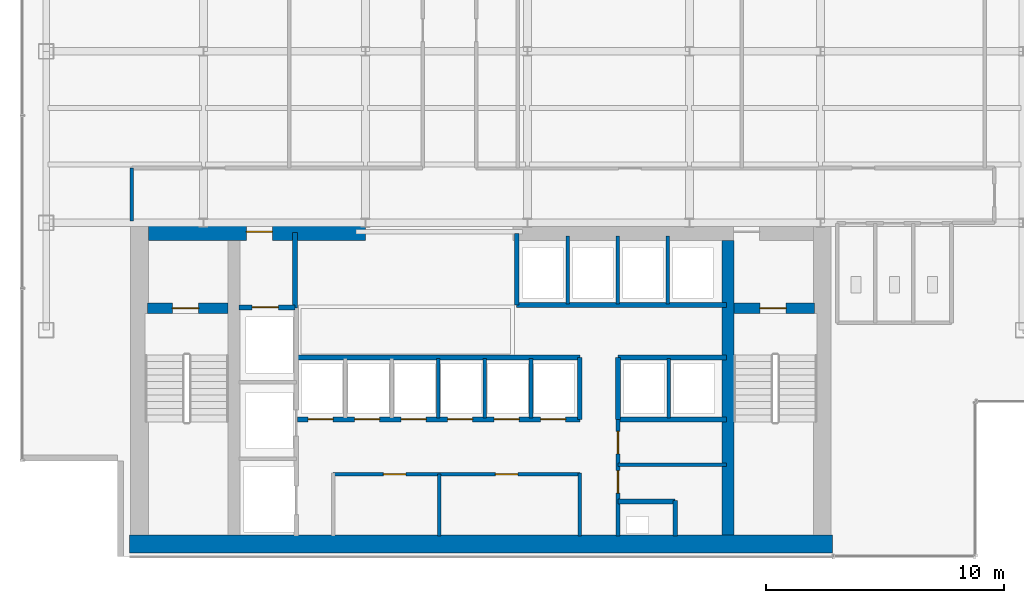
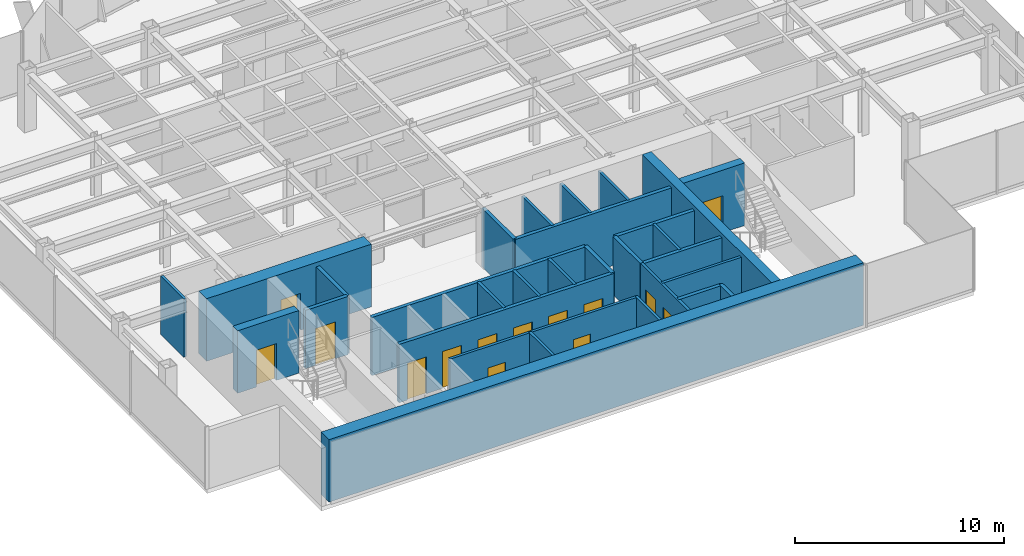
# One storey, part 20 of 25: 30 walls, 14 doors, 14 openings.
"""IFC4 building model written with IfcOpenShell, lengths in metres."""

from ifc_helpers import new_model, si_unit, derived_unit, direction, frame, frame_2d, origin, place, context, subcontext, project, spatial, rectangle, extrude, source, transform, mapped, material, layer, layer_set, type_object, element, fill, save


model = new_model("IFC4")

# Units and contexts
model_context = context("Model", 3, precision=1e-05, world=origin(), true_north=direction((0.0, 1.0)))
body_context = subcontext(model_context, "Body", "Model", "MODEL_VIEW")
ifc_project = project(units=[si_unit("LENGTHUNIT", "METRE"), si_unit("AREAUNIT", "SQUARE_METRE"), si_unit("VOLUMEUNIT", "CUBIC_METRE"), si_unit("PLANEANGLEUNIT", "RADIAN"), si_unit("MASSUNIT", "GRAM", prefix="KILO"), derived_unit("THERMALTRANSMITTANCEUNIT", [(si_unit("POWERUNIT", "WATT"), 1), (si_unit("LENGTHUNIT", "METRE"), -2), (si_unit("THERMODYNAMICTEMPERATUREUNIT", "KELVIN"), -1)])], contexts=[model_context])

# Site, building, storey
site_placement = place(None, origin())
site = spatial("IfcSite", under=ifc_project, at=site_placement, CompositionType="ELEMENT")
building_placement = place(site_placement, origin())
building = spatial("IfcBuilding", under=site, at=building_placement, Name="Skarnbrae Concourse Arena and Tower", CompositionType="ELEMENT")
storey_placement = place(building_placement, frame((0.0, 0.0, 144.25)))
storey = spatial("IfcBuildingStorey", under=building, at=storey_placement, Name="L36", CompositionType="ELEMENT", Elevation=144.25)

# Wall, opening, door
ifc_material_1 = material(Name="Concrete 50 MPa (C50/60)", Category="concrete")
ifc_layer_1 = layer(ifc_material_1, 0.449951171875)
ifc_layer_set_1 = layer_set([ifc_layer_1], Name="Concrete 50 MPa (C50/60)")
wall_type_1 = type_object("IfcWallType", Name="WALL-CORE-450-C50", PredefinedType="SHEAR", material=ifc_layer_set_1)
shared_shape_1 = source(origin(), body_context, "Body", "SweptSolid", [
    extrude(rectangle(XDim=3.389892578125, YDim=0.449951171875, at=frame_2d((1.69482421875, 0.0))), origin(), (0.0, 0.0, 1.0), 3.64990234375),
])
wall_1_placement = place(storey_placement, frame((5.25, 10.419921875, 0.0), z_axis=(0.0, 0.0, 1.0), x_axis=(1.0, 0.0, 0.0)))
wall_1 = element("IfcWall", 1, at=wall_1_placement, inside=storey, type_object=wall_type_1, Name="L36 Rear core shear wall CW-ST1-N", PredefinedType="SHEAR", context=body_context, shape_type="MappedRepresentation", body=[
    mapped(shared_shape_1, transform((0.0, 0.0, 0.0))),
])
opening_1_placement = place(wall_1_placement, frame((1.050048828125, 0.0, 0.0)))
opening_1 = element("IfcOpeningElement", 2, at=opening_1_placement, cuts=wall_1, Name="Opening DT-03", PredefinedType="OPENING", context=body_context, shape_type="SweptSolid", body=[
    extrude(rectangle(XDim=1.10009765625, YDim=2.14990234375, at=frame_2d((0.550048828125, 1.074951171875))), frame((0.0, 0.23486328125, 0.0), z_axis=(0.0, -1.0, 0.0), x_axis=(1.0, 0.0, 0.0)), (0.0, 0.0, 1.0), 0.469970703125),
])
ifc_material_2 = material(Name="Steel CSA G40.21 350W", Category="steel")
door_type_1 = type_object("IfcDoorType", Name="DOOR-FIRE-1100-90M", OperationType="NOTDEFINED", PredefinedType="DOOR", material=ifc_material_2)
shared_shape_2 = source(origin(), body_context, "Body", "SweptSolid", [
    extrude(rectangle(XDim=1.10009765625, YDim=2.14990234375, at=frame_2d((0.550048828125, 1.074951171875))), frame((0.0, 0.02490234375, 0.0), z_axis=(0.0, -1.0, 0.0), x_axis=(1.0, 0.0, 0.0)), (0.0, 0.0, 1.0), 0.050048828125),
])
door_1_placement = place(opening_1_placement, frame((1.10009765625, 0.0, 0.0), z_axis=(0.0, 0.0, 1.0), x_axis=(-1.0, 0.0, 0.0)))
door_1 = element("IfcDoor", 3, at=door_1_placement, inside=storey, type_object=door_type_1, Name="D-1122 Stair ST-1 Door", OperationType="SINGLE_SWING_LEFT", OverallHeight=2.14990234375, OverallWidth=1.10009765625, PredefinedType="DOOR", context=body_context, shape_type="MappedRepresentation", body=[
    mapped(shared_shape_2, transform((0.0, 0.0, 0.0))),
])
fill(opening_1, door_1)

wall_2_placement = place(storey_placement, frame((29.860107421875, 10.419921875, 0.0), z_axis=(0.0, 0.0, 1.0), x_axis=(1.0, 0.0, 0.0)))
wall_2 = element("IfcWall", 4, at=wall_2_placement, inside=storey, type_object=wall_type_1, Name="L36 Rear core shear wall CW-ST2-N", PredefinedType="SHEAR", context=body_context, shape_type="MappedRepresentation", body=[
    mapped(shared_shape_1, transform((0.0, 0.0, 0.0))),
])
opening_2_placement = place(wall_2_placement, frame((1.10009765625, 0.0, 0.0)))
opening_2 = element("IfcOpeningElement", 5, at=opening_2_placement, cuts=wall_2, Name="Opening DT-03", PredefinedType="OPENING", context=body_context, shape_type="SweptSolid", body=[
    extrude(rectangle(XDim=1.10009765625, YDim=2.14990234375, at=frame_2d((0.550048828125, 1.074951171875))), frame((0.0, 0.23486328125, 0.0), z_axis=(0.0, -1.0, 0.0), x_axis=(1.0, 0.0, 0.0)), (0.0, 0.0, 1.0), 0.469970703125),
])
door_2_placement = place(opening_2_placement, frame((1.10009765625, 0.0, 0.0), z_axis=(0.0, 0.0, 1.0), x_axis=(-1.0, 0.0, 0.0)))
door_2 = element("IfcDoor", 6, at=door_2_placement, inside=storey, type_object=door_type_1, Name="D-1123 Stair ST-2 Door", OperationType="SINGLE_SWING_RIGHT", OverallHeight=2.14990234375, OverallWidth=1.10009765625, PredefinedType="DOOR", context=body_context, shape_type="MappedRepresentation", body=[
    mapped(shared_shape_2, transform((0.0, 0.0, 0.0))),
])
fill(opening_2, door_2)

# Wall
ifc_material_3 = material(Name="Concrete 60 MPa (C60/75)", Category="concrete")
ifc_layer_2 = layer(ifc_material_3, 0.75)
ifc_layer_set_2 = layer_set([ifc_layer_2], Name="Concrete 60 MPa (C60/75)")
wall_type_2 = type_object("IfcWallType", Name="WALL-CORE-750-C60", PredefinedType="SHEAR", material=ifc_layer_set_2)
shared_shape_3 = source(origin(), body_context, "Body", "SweptSolid", [
    extrude(rectangle(XDim=29.5, YDim=0.75, at=frame_2d((14.75, 0.0))), origin(), (0.0, 0.0, 1.0), 3.64990234375),
])
wall_3_placement = place(storey_placement, frame((4.5, 0.52490234375, 0.0), z_axis=(0.0, 0.0, 1.0), x_axis=(1.0, 0.0, 0.0)))
element("IfcWall", 7, at=wall_3_placement, inside=storey, type_object=wall_type_2, Name="L36 Rear core shear wall CW-S", PredefinedType="SHEAR", context=body_context, shape_type="MappedRepresentation", body=[
    mapped(shared_shape_3, transform((0.0, 0.0, 0.0))),
])

# Wall, opening, door
shared_shape_4 = source(origin(), body_context, "Body", "SweptSolid", [
    extrude(rectangle(XDim=9.099853515625, YDim=0.75, at=frame_2d((4.5498046875, 0.0))), origin(), (0.0, 0.0, 1.0), 3.64990234375),
])
wall_4_placement = place(storey_placement, frame((5.300048828125, 13.625, 0.0), z_axis=(0.0, 0.0, 1.0), x_axis=(1.0, 0.0, 0.0)))
wall_4 = element("IfcWall", 8, at=wall_4_placement, inside=storey, type_object=wall_type_2, Name="L36 Rear core shear wall CW-NW", PredefinedType="SHEAR", context=body_context, shape_type="MappedRepresentation", body=[
    mapped(shared_shape_4, transform((0.0, 0.0, 0.0))),
])
opening_3_placement = place(wall_4_placement, frame((4.10009765625, 0.0, 0.0)))
opening_3 = element("IfcOpeningElement", 9, at=opening_3_placement, cuts=wall_4, Name="Opening DT-03", PredefinedType="OPENING", context=body_context, shape_type="SweptSolid", body=[
    extrude(rectangle(XDim=1.10009765625, YDim=2.14990234375, at=frame_2d((0.550048828125, 1.074951171875))), frame((0.0, 0.385009765625, 0.0), z_axis=(0.0, -1.0, 0.0), x_axis=(1.0, 0.0, 0.0)), (0.0, 0.0, 1.0), 0.77001953125),
])
door_3_placement = place(opening_3_placement, origin())
door_3 = element("IfcDoor", 10, at=door_3_placement, inside=storey, type_object=door_type_1, Name="D-1124 Firefighting Lobby Exit Door", OperationType="SINGLE_SWING_RIGHT", OverallHeight=2.14990234375, OverallWidth=1.10009765625, PredefinedType="DOOR", context=body_context, shape_type="MappedRepresentation", body=[
    mapped(shared_shape_2, transform((0.0, 0.0, 0.0))),
])
fill(opening_3, door_3)

# Walls
ifc_layer_3 = layer(ifc_material_3, 0.5)
ifc_layer_set_3 = layer_set([ifc_layer_3], Name="Concrete 60 MPa (C60/75)")
wall_type_3 = type_object("IfcWallType", Name="WALL-CORE-500-C60", PredefinedType="SHEAR", material=ifc_layer_set_3)
shared_shape_5 = source(origin(), body_context, "Body", "SweptSolid", [
    extrude(rectangle(XDim=12.35009765625, YDim=0.5, at=frame_2d((6.175048828125, 0.0))), origin(), (0.0, 0.0, 1.0), 3.64990234375),
])
wall_5_placement = place(storey_placement, frame((29.610107421875, 0.89990234375, 0.0), z_axis=(0.0, 0.0, 1.0), x_axis=(0.0, 1.0, 0.0)))
element("IfcWall", 11, at=wall_5_placement, inside=storey, type_object=wall_type_3, Name="L36 Rear core shear wall CW-WEB-E", PredefinedType="SHEAR", context=body_context, shape_type="MappedRepresentation", body=[
    mapped(shared_shape_5, transform((0.0, 0.0, 0.0))),
])
ifc_material_4 = material(Name="Gypsum board on cold-formed steel studs", Category="steel")
ifc_layer_4 = layer(ifc_material_4, 0.199951171875)
ifc_layer_set_4 = layer_set([ifc_layer_4], Name="Gypsum board on cold-formed steel studs")
wall_type_4 = type_object("IfcWallType", Name="WALL-PART-200-2HR", PredefinedType="PARTITIONING", material=ifc_layer_set_4)
shared_shape_6 = source(origin(), body_context, "Body", "SweptSolid", [
    extrude(rectangle(XDim=3.18017578125, YDim=0.199951171875, at=frame_2d((1.590087890625, 0.0))), origin(), (0.0, 0.0, 1.0), 3.39990234375),
])
wall_6_placement = place(storey_placement, frame((11.449951171875, 10.419921875, 0.0), z_axis=(0.0, 0.0, 1.0), x_axis=(0.0, 1.0, 0.0)))
element("IfcWall", 12, at=wall_6_placement, inside=storey, type_object=wall_type_4, Name="L36 Interior partition wall W-L36-FFL-E", PredefinedType="PARTITIONING", context=body_context, shape_type="MappedRepresentation", body=[
    mapped(shared_shape_6, transform((0.0, 0.0, 0.0))),
])

# Wall, opening, door
shared_shape_7 = source(origin(), body_context, "Body", "SweptSolid", [
    extrude(rectangle(XDim=2.349853515625, YDim=0.199951171875, at=frame_2d((1.1748046875, 0.0))), origin(), (0.0, 0.0, 1.0), 3.39990234375),
])
wall_7_placement = place(storey_placement, frame((9.10009765625, 10.449951171875, 0.0), z_axis=(0.0, 0.0, 1.0), x_axis=(1.0, 0.0, 0.0)))
wall_7 = element("IfcWall", 13, at=wall_7_placement, inside=storey, type_object=wall_type_4, Name="L36 Interior partition wall W-L36-FL1-N", PredefinedType="PARTITIONING", context=body_context, shape_type="MappedRepresentation", body=[
    mapped(shared_shape_7, transform((0.0, 0.0, 0.0))),
])
opening_4_placement = place(wall_7_placement, frame((0.550048828125, 0.0, 0.0)))
opening_4 = element("IfcOpeningElement", 14, at=opening_4_placement, cuts=wall_7, Name="Opening LD-01", PredefinedType="OPENING", context=body_context, shape_type="SweptSolid", body=[
    extrude(rectangle(XDim=1.10009765625, YDim=2.14990234375, at=frame_2d((0.550048828125, 1.074951171875))), frame((0.0, 0.10986328125, 0.0), z_axis=(0.0, -1.0, 0.0), x_axis=(1.0, 0.0, 0.0)), (0.0, 0.0, 1.0), 0.219970703125),
])
door_type_2 = type_object("IfcDoorType", Name="DOOR-LIFT-SLIDE-1100", OperationType="SLIDING_TO_LEFT", PredefinedType="DOOR", material=ifc_material_2)
door_4_placement = place(opening_4_placement, origin())
door_4 = element("IfcDoor", 15, at=door_4_placement, inside=storey, type_object=door_type_2, Name="D-1126 Firefighting Lift Landing Door FL-01", OperationType="SLIDING_TO_LEFT", OverallHeight=2.14990234375, OverallWidth=1.10009765625, PredefinedType="DOOR", context=body_context, shape_type="MappedRepresentation", body=[
    mapped(shared_shape_2, transform((0.0, 0.0, 0.0))),
])
fill(opening_4, door_4)

# Wall
ifc_layer_5 = layer(ifc_material_4, 0.14990234375)
ifc_layer_set_5 = layer_set([ifc_layer_5], Name="Gypsum board on cold-formed steel studs")
wall_type_5 = type_object("IfcWallType", Name="WALL-PART-150", PredefinedType="PARTITIONING", material=ifc_layer_set_5)
shared_shape_8 = source(origin(), body_context, "Body", "SweptSolid", [
    extrude(rectangle(XDim=2.599853515625, YDim=0.14990234375, at=frame_2d((1.2998046875, 0.0))), origin(), (0.0, 0.0, 1.0), 3.39990234375),
])
wall_8_placement = place(storey_placement, frame((17.5, 0.85009765625, 0.0), z_axis=(0.0, 0.0, 1.0), x_axis=(0.0, 1.0, 0.0)))
element("IfcWall", 16, at=wall_8_placement, inside=storey, type_object=wall_type_5, Name="L36 Interior partition wall W-L36-B1M-C1", PredefinedType="PARTITIONING", context=body_context, shape_type="MappedRepresentation", body=[
    mapped(shared_shape_8, transform((0.0, 0.0, 0.0))),
])

# Wall, openings, doors
shared_shape_9 = source(origin(), body_context, "Body", "SweptSolid", [
    extrude(rectangle(XDim=11.849853515625, YDim=0.199951171875, at=frame_2d((5.9248046875, 0.0))), origin(), (0.0, 0.0, 1.0), 3.39990234375),
])
wall_9_placement = place(storey_placement, frame((11.550048828125, 5.75, 0.0), z_axis=(0.0, 0.0, 1.0), x_axis=(1.0, 0.0, 0.0)))
wall_9 = element("IfcWall", 17, at=wall_9_placement, inside=storey, type_object=wall_type_4, Name="L36 Interior partition wall W-L36-B2-S", PredefinedType="PARTITIONING", context=body_context, shape_type="MappedRepresentation", body=[
    mapped(shared_shape_9, transform((0.0, 0.0, 0.0))),
])
opening_5_placement = place(wall_9_placement, frame((0.449951171875, 0.0, 0.0)))
opening_5 = element("IfcOpeningElement", 18, at=opening_5_placement, cuts=wall_9, Name="Opening LD-03", PredefinedType="OPENING", context=body_context, shape_type="SweptSolid", body=[
    extrude(rectangle(XDim=1.050048828125, YDim=2.14990234375, at=frame_2d((0.52490234375, 1.074951171875))), frame((0.0, 0.10986328125, 0.0), z_axis=(0.0, -1.0, 0.0), x_axis=(1.0, 0.0, 0.0)), (0.0, 0.0, 1.0), 0.219970703125),
])
opening_6_placement = place(wall_9_placement, frame((2.39990234375, 0.0, 0.0)))
opening_6 = element("IfcOpeningElement", 19, at=opening_6_placement, cuts=wall_9, Name="Opening LD-03", PredefinedType="OPENING", context=body_context, shape_type="SweptSolid", body=[
    extrude(rectangle(XDim=1.050048828125, YDim=2.14990234375, at=frame_2d((0.52490234375, 1.074951171875))), frame((0.0, 0.10986328125, 0.0), z_axis=(0.0, -1.0, 0.0), x_axis=(1.0, 0.0, 0.0)), (0.0, 0.0, 1.0), 0.219970703125),
])
opening_7_placement = place(wall_9_placement, frame((4.35009765625, 0.0, 0.0)))
opening_7 = element("IfcOpeningElement", 20, at=opening_7_placement, cuts=wall_9, Name="Opening LD-03", PredefinedType="OPENING", context=body_context, shape_type="SweptSolid", body=[
    extrude(rectangle(XDim=1.050048828125, YDim=2.14990234375, at=frame_2d((0.52490234375, 1.074951171875))), frame((0.0, 0.10986328125, 0.0), z_axis=(0.0, -1.0, 0.0), x_axis=(1.0, 0.0, 0.0)), (0.0, 0.0, 1.0), 0.219970703125),
])
opening_8_placement = place(wall_9_placement, frame((6.300048828125, 0.0, 0.0)))
opening_8 = element("IfcOpeningElement", 21, at=opening_8_placement, cuts=wall_9, Name="Opening LD-03", PredefinedType="OPENING", context=body_context, shape_type="SweptSolid", body=[
    extrude(rectangle(XDim=1.050048828125, YDim=2.14990234375, at=frame_2d((0.52490234375, 1.074951171875))), frame((0.0, 0.10986328125, 0.0), z_axis=(0.0, -1.0, 0.0), x_axis=(1.0, 0.0, 0.0)), (0.0, 0.0, 1.0), 0.219970703125),
])
opening_9_placement = place(wall_9_placement, frame((8.25, 0.0, 0.0)))
opening_9 = element("IfcOpeningElement", 22, at=opening_9_placement, cuts=wall_9, Name="Opening LD-03", PredefinedType="OPENING", context=body_context, shape_type="SweptSolid", body=[
    extrude(rectangle(XDim=1.050048828125, YDim=2.14990234375, at=frame_2d((0.52490234375, 1.074951171875))), frame((0.0, 0.10986328125, 0.0), z_axis=(0.0, -1.0, 0.0), x_axis=(1.0, 0.0, 0.0)), (0.0, 0.0, 1.0), 0.219970703125),
])
opening_10_placement = place(wall_9_placement, frame((10.199951171875, 0.0, 0.0)))
opening_10 = element("IfcOpeningElement", 23, at=opening_10_placement, cuts=wall_9, Name="Opening LD-03", PredefinedType="OPENING", context=body_context, shape_type="SweptSolid", body=[
    extrude(rectangle(XDim=1.050048828125, YDim=2.14990234375, at=frame_2d((0.52490234375, 1.074951171875))), frame((0.0, 0.10986328125, 0.0), z_axis=(0.0, -1.0, 0.0), x_axis=(1.0, 0.0, 0.0)), (0.0, 0.0, 1.0), 0.219970703125),
])
ifc_material_5 = material(Name="Bronze anodised aluminium 6063-T6", Category="aluminium")
door_type_3 = type_object("IfcDoorType", Name="DOOR-LIFT-SLIDE-1050", OperationType="SLIDING_TO_LEFT", PredefinedType="DOOR", material=ifc_material_5)
shared_shape_10 = source(origin(), body_context, "Body", "SweptSolid", [
    extrude(rectangle(XDim=1.050048828125, YDim=2.14990234375, at=frame_2d((0.52490234375, 1.074951171875))), frame((0.0, 0.02490234375, 0.0), z_axis=(0.0, -1.0, 0.0), x_axis=(1.0, 0.0, 0.0)), (0.0, 0.0, 1.0), 0.050048828125),
])
door_5_placement = place(opening_5_placement, frame((1.050048828125, 0.0, 0.0), z_axis=(0.0, 0.0, 1.0), x_axis=(-1.0, 0.0, 0.0)))
door_5 = element("IfcDoor", 24, at=door_5_placement, inside=storey, type_object=door_type_3, Name="D-1131 Passenger Lift Landing Door PL-2A", OperationType="SLIDING_TO_LEFT", OverallHeight=2.14990234375, OverallWidth=1.050048828125, PredefinedType="DOOR", context=body_context, shape_type="MappedRepresentation", body=[
    mapped(shared_shape_10, transform((0.0, 0.0, 0.0))),
])
fill(opening_5, door_5)
door_6_placement = place(opening_6_placement, frame((1.050048828125, 0.0, 0.0), z_axis=(0.0, 0.0, 1.0), x_axis=(-1.0, 0.0, 0.0)))
door_6 = element("IfcDoor", 25, at=door_6_placement, inside=storey, type_object=door_type_3, Name="D-1132 Passenger Lift Landing Door PL-2B", OperationType="SLIDING_TO_LEFT", OverallHeight=2.14990234375, OverallWidth=1.050048828125, PredefinedType="DOOR", context=body_context, shape_type="MappedRepresentation", body=[
    mapped(shared_shape_10, transform((0.0, 0.0, 0.0))),
])
fill(opening_6, door_6)
door_7_placement = place(opening_7_placement, frame((1.050048828125, 0.0, 0.0), z_axis=(0.0, 0.0, 1.0), x_axis=(-1.0, 0.0, 0.0)))
door_7 = element("IfcDoor", 26, at=door_7_placement, inside=storey, type_object=door_type_3, Name="D-1133 Passenger Lift Landing Door PL-2C", OperationType="SLIDING_TO_LEFT", OverallHeight=2.14990234375, OverallWidth=1.050048828125, PredefinedType="DOOR", context=body_context, shape_type="MappedRepresentation", body=[
    mapped(shared_shape_10, transform((0.0, 0.0, 0.0))),
])
fill(opening_7, door_7)
door_8_placement = place(opening_8_placement, frame((1.050048828125, 0.0, 0.0), z_axis=(0.0, 0.0, 1.0), x_axis=(-1.0, 0.0, 0.0)))
door_8 = element("IfcDoor", 27, at=door_8_placement, inside=storey, type_object=door_type_3, Name="D-1134 Passenger Lift Landing Door PL-2D", OperationType="SLIDING_TO_LEFT", OverallHeight=2.14990234375, OverallWidth=1.050048828125, PredefinedType="DOOR", context=body_context, shape_type="MappedRepresentation", body=[
    mapped(shared_shape_10, transform((0.0, 0.0, 0.0))),
])
fill(opening_8, door_8)
door_9_placement = place(opening_9_placement, frame((1.050048828125, 0.0, 0.0), z_axis=(0.0, 0.0, 1.0), x_axis=(-1.0, 0.0, 0.0)))
door_9 = element("IfcDoor", 28, at=door_9_placement, inside=storey, type_object=door_type_3, Name="D-1135 Passenger Lift Landing Door PL-2E", OperationType="SLIDING_TO_LEFT", OverallHeight=2.14990234375, OverallWidth=1.050048828125, PredefinedType="DOOR", context=body_context, shape_type="MappedRepresentation", body=[
    mapped(shared_shape_10, transform((0.0, 0.0, 0.0))),
])
fill(opening_9, door_9)
door_10_placement = place(opening_10_placement, frame((1.050048828125, 0.0, 0.0), z_axis=(0.0, 0.0, 1.0), x_axis=(-1.0, 0.0, 0.0)))
door_10 = element("IfcDoor", 29, at=door_10_placement, inside=storey, type_object=door_type_3, Name="D-1136 Passenger Lift Landing Door PL-2F", OperationType="SLIDING_TO_LEFT", OverallHeight=2.14990234375, OverallWidth=1.050048828125, PredefinedType="DOOR", context=body_context, shape_type="MappedRepresentation", body=[
    mapped(shared_shape_10, transform((0.0, 0.0, 0.0))),
])
fill(opening_10, door_10)

# Walls
wall_10_placement = place(storey_placement, frame((11.550048828125, 8.35009765625, 0.0), z_axis=(0.0, 0.0, 1.0), x_axis=(1.0, 0.0, 0.0)))
element("IfcWall", 30, at=wall_10_placement, inside=storey, type_object=wall_type_4, Name="L36 Interior partition wall W-L36-B2-N", PredefinedType="PARTITIONING", context=body_context, shape_type="MappedRepresentation", body=[
    mapped(shared_shape_9, transform((0.0, 0.0, 0.0))),
])
shared_shape_11 = source(origin(), body_context, "Body", "SweptSolid", [
    extrude(rectangle(XDim=2.60009765625, YDim=0.199951171875, at=frame_2d((1.300048828125, 0.0))), origin(), (0.0, 0.0, 1.0), 3.39990234375),
])
for number, where, z_axis, x_axis, name in (
    (31, (23.39990234375, 5.75, 0.0), (0.0, 0.0, 1.0), (0.0, 1.0, 0.0), "L36 Interior partition wall W-L36-B2-E"),
    (32, (25.0, 5.75, 0.0), (0.0, 0.0, 1.0), (0.0, 1.0, 0.0), "L36 Interior partition wall W-L36-B3S-W"),
):
    element("IfcWall", number, at=place(storey_placement, frame(where, z_axis=z_axis, x_axis=x_axis)), inside=storey, type_object=wall_type_4, Name=name, PredefinedType="PARTITIONING", context=body_context, shape_type="MappedRepresentation", body=[
        mapped(shared_shape_11, transform((0.0, 0.0, 0.0))),
    ])
shared_shape_12 = source(origin(), body_context, "Body", "SweptSolid", [
    extrude(rectangle(XDim=2.5, YDim=0.14990234375, at=frame_2d((1.25, 0.0))), origin(), (0.0, 0.0, 1.0), 3.39990234375),
])
for number, where, z_axis, x_axis, name in (
    (33, (17.449951171875, 5.800048828125, 0.0), (0.0, 0.0, 1.0), (0.0, 1.0, 0.0), "L36 Interior partition wall W-L36-B2-P3"),
    (34, (19.39990234375, 5.800048828125, 0.0), (0.0, 0.0, 1.0), (0.0, 1.0, 0.0), "L36 Interior partition wall W-L36-B2-P4"),
    (35, (21.35009765625, 5.800048828125, 0.0), (0.0, 0.0, 1.0), (0.0, 1.0, 0.0), "L36 Interior partition wall W-L36-B2-P5"),
    (36, (27.139892578125, 5.800048828125, 0.0), (0.0, 0.0, 1.0), (0.0, 1.0, 0.0), "L36 Interior partition wall W-L36-B3S-P1"),
):
    element("IfcWall", number, at=place(storey_placement, frame(where, z_axis=z_axis, x_axis=x_axis)), inside=storey, type_object=wall_type_5, Name=name, PredefinedType="PARTITIONING", context=body_context, shape_type="MappedRepresentation", body=[
        mapped(shared_shape_12, transform((0.0, 0.0, 0.0))),
    ])
shared_shape_13 = source(origin(), body_context, "Body", "SweptSolid", [
    extrude(rectangle(XDim=8.800048828125, YDim=0.199951171875, at=frame_2d((4.39990234375, 0.0))), origin(), (0.0, 0.0, 1.0), 3.39990234375),
])
wall_11_placement = place(storey_placement, frame((20.75, 10.550048828125, 0.0), z_axis=(0.0, 0.0, 1.0), x_axis=(1.0, 0.0, 0.0)))
element("IfcWall", 37, at=wall_11_placement, inside=storey, type_object=wall_type_4, Name="L36 Interior partition wall W-L36-B3N-S", PredefinedType="PARTITIONING", context=body_context, shape_type="MappedRepresentation", body=[
    mapped(shared_shape_13, transform((0.0, 0.0, 0.0))),
])
shared_shape_14 = source(origin(), body_context, "Body", "SweptSolid", [
    extrude(rectangle(XDim=3.0, YDim=0.199951171875, at=frame_2d((1.5, 0.0))), origin(), (0.0, 0.0, 1.0), 3.39990234375),
])
wall_12_placement = place(storey_placement, frame((20.75, 10.550048828125, 0.0), z_axis=(0.0, 0.0, 1.0), x_axis=(0.0, 1.0, 0.0)))
element("IfcWall", 38, at=wall_12_placement, inside=storey, type_object=wall_type_4, Name="L36 Interior partition wall W-L36-B3N-W", PredefinedType="PARTITIONING", context=body_context, shape_type="MappedRepresentation", body=[
    mapped(shared_shape_14, transform((0.0, 0.0, 0.0))),
])
shared_shape_15 = source(origin(), body_context, "Body", "SweptSolid", [
    extrude(rectangle(XDim=2.849853515625, YDim=0.14990234375, at=frame_2d((1.4248046875, 0.0))), origin(), (0.0, 0.0, 1.0), 3.39990234375),
])
for number, where, z_axis, x_axis, name in (
    (39, (22.889892578125, 10.60009765625, 0.0), (0.0, 0.0, 1.0), (0.0, 1.0, 0.0), "L36 Interior partition wall W-L36-B3N-P1"),
    (40, (24.989990234375, 10.60009765625, 0.0), (0.0, 0.0, 1.0), (0.0, 1.0, 0.0), "L36 Interior partition wall W-L36-B3N-P2"),
    (41, (27.090087890625, 10.60009765625, 0.0), (0.0, 0.0, 1.0), (0.0, 1.0, 0.0), "L36 Interior partition wall W-L36-B3N-P3"),
):
    element("IfcWall", number, at=place(storey_placement, frame(where, z_axis=z_axis, x_axis=x_axis)), inside=storey, type_object=wall_type_5, Name=name, PredefinedType="PARTITIONING", context=body_context, shape_type="MappedRepresentation", body=[
        mapped(shared_shape_15, transform((0.0, 0.0, 0.0))),
    ])
shared_shape_16 = source(origin(), body_context, "Body", "SweptSolid", [
    extrude(rectangle(XDim=4.550048828125, YDim=0.199951171875, at=frame_2d((2.27490234375, 0.0))), origin(), (0.0, 0.0, 1.0), 3.39990234375),
])
for number, where, z_axis, x_axis, name in (
    (42, (25.0, 8.35009765625, 0.0), (0.0, 0.0, 1.0), (1.0, 0.0, 0.0), "L36 Interior partition wall W-L36-B3S-N"),
    (43, (25.0, 5.75, 0.0), (0.0, 0.0, 1.0), (1.0, 0.0, 0.0), "L36 Interior partition wall W-L36-B3S-S"),
):
    element("IfcWall", number, at=place(storey_placement, frame(where, z_axis=z_axis, x_axis=x_axis)), inside=storey, type_object=wall_type_4, Name=name, PredefinedType="PARTITIONING", context=body_context, shape_type="MappedRepresentation", body=[
        mapped(shared_shape_16, transform((0.0, 0.0, 0.0))),
    ])

# Wall, openings, doors
ifc_layer_6 = layer(ifc_material_4, 0.14990234375)
ifc_layer_set_6 = layer_set([ifc_layer_6], Name="Gypsum board on cold-formed steel studs")
wall_type_6 = type_object("IfcWallType", Name="WALL-PART-150-1HR", PredefinedType="PARTITIONING", material=ifc_layer_set_6)
shared_shape_17 = source(origin(), body_context, "Body", "SweptSolid", [
    extrude(rectangle(XDim=4.89990234375, YDim=0.14990234375, at=frame_2d((2.449951171875, 0.0))), origin(), (0.0, 0.0, 1.0), 3.39990234375),
])
wall_13_placement = place(storey_placement, frame((25.0, 0.85009765625, 0.0), z_axis=(0.0, 0.0, 1.0), x_axis=(0.0, 1.0, 0.0)))
wall_13 = element("IfcWall", 44, at=wall_13_placement, inside=storey, type_object=wall_type_6, Name="L36 Interior partition wall W-L36-CSV-W", PredefinedType="PARTITIONING", context=body_context, shape_type="MappedRepresentation", body=[
    mapped(shared_shape_17, transform((0.0, 0.0, 0.0))),
])
opening_11_placement = place(wall_13_placement, frame((1.800048828125, 0.0, 0.0)))
opening_11 = element("IfcOpeningElement", 45, at=opening_11_placement, cuts=wall_13, Name="Opening DT-04", PredefinedType="OPENING", context=body_context, shape_type="SweptSolid", body=[
    extrude(rectangle(XDim=0.949951171875, YDim=2.14990234375, at=frame_2d((0.47509765625, 1.074951171875))), frame((0.0, 0.0849609375, 0.0), z_axis=(0.0, -1.0, 0.0), x_axis=(1.0, 0.0, 0.0)), (0.0, 0.0, 1.0), 0.169921875),
])
opening_12_placement = place(wall_13_placement, frame((3.449951171875, 0.0, 0.0)))
opening_12 = element("IfcOpeningElement", 46, at=opening_12_placement, cuts=wall_13, Name="Opening DT-04", PredefinedType="OPENING", context=body_context, shape_type="SweptSolid", body=[
    extrude(rectangle(XDim=0.949951171875, YDim=2.14990234375, at=frame_2d((0.47509765625, 1.074951171875))), frame((0.0, 0.0849609375, 0.0), z_axis=(0.0, -1.0, 0.0), x_axis=(1.0, 0.0, 0.0)), (0.0, 0.0, 1.0), 0.169921875),
])
door_type_4 = type_object("IfcDoorType", Name="DOOR-INT-950-45M", OperationType="NOTDEFINED", PredefinedType="DOOR", material=ifc_material_2)
shared_shape_18 = source(origin(), body_context, "Body", "SweptSolid", [
    extrude(rectangle(XDim=0.949951171875, YDim=2.14990234375, at=frame_2d((0.47509765625, 1.074951171875))), frame((0.0, 0.02490234375, 0.0), z_axis=(0.0, -1.0, 0.0), x_axis=(1.0, 0.0, 0.0)), (0.0, 0.0, 1.0), 0.050048828125),
])
door_11_placement = place(opening_11_placement, origin())
door_11 = element("IfcDoor", 47, at=door_11_placement, inside=storey, type_object=door_type_4, Name="D-1137 Electrical Switch Room Door", OperationType="SINGLE_SWING_LEFT", OverallHeight=2.14990234375, OverallWidth=0.949951171875, PredefinedType="DOOR", context=body_context, shape_type="MappedRepresentation", body=[
    mapped(shared_shape_18, transform((0.0, 0.0, 0.0))),
])
fill(opening_11, door_11)
door_12_placement = place(opening_12_placement, origin())
door_12 = element("IfcDoor", 48, at=door_12_placement, inside=storey, type_object=door_type_4, Name="D-1138 Cleaner Store Door", OperationType="SINGLE_SWING_RIGHT", OverallHeight=2.14990234375, OverallWidth=0.949951171875, PredefinedType="DOOR", context=body_context, shape_type="MappedRepresentation", body=[
    mapped(shared_shape_18, transform((0.0, 0.0, 0.0))),
])
fill(opening_12, door_12)

# Walls
shared_shape_19 = source(origin(), body_context, "Body", "SweptSolid", [
    extrude(rectangle(XDim=2.39990234375, YDim=0.199951171875, at=frame_2d((1.199951171875, 0.0))), origin(), (0.0, 0.0, 1.0), 3.39990234375),
])
wall_14_placement = place(storey_placement, frame((25.0, 2.300048828125, 0.0), z_axis=(0.0, 0.0, 1.0), x_axis=(1.0, 0.0, 0.0)))
element("IfcWall", 49, at=wall_14_placement, inside=storey, type_object=wall_type_4, Name="L36 Interior partition wall W-L36-MEP-N", PredefinedType="PARTITIONING", context=body_context, shape_type="MappedRepresentation", body=[
    mapped(shared_shape_19, transform((0.0, 0.0, 0.0))),
])
shared_shape_20 = source(origin(), body_context, "Body", "SweptSolid", [
    extrude(rectangle(XDim=1.5, YDim=0.199951171875, at=frame_2d((0.75, 0.0))), origin(), (0.0, 0.0, 1.0), 3.39990234375),
])
wall_15_placement = place(storey_placement, frame((27.39990234375, 0.85009765625, 0.0), z_axis=(0.0, 0.0, 1.0), x_axis=(0.0, 1.0, 0.0)))
element("IfcWall", 50, at=wall_15_placement, inside=storey, type_object=wall_type_4, Name="L36 Interior partition wall W-L36-MEP-E", PredefinedType="PARTITIONING", context=body_context, shape_type="MappedRepresentation", body=[
    mapped(shared_shape_20, transform((0.0, 0.0, 0.0))),
])
shared_shape_21 = source(origin(), body_context, "Body", "SweptSolid", [
    extrude(rectangle(XDim=4.550048828125, YDim=0.14990234375, at=frame_2d((2.27490234375, 0.0))), origin(), (0.0, 0.0, 1.0), 3.39990234375),
])
wall_16_placement = place(storey_placement, frame((25.0, 3.85009765625, 0.0), z_axis=(0.0, 0.0, 1.0), x_axis=(1.0, 0.0, 0.0)))
element("IfcWall", 51, at=wall_16_placement, inside=storey, type_object=wall_type_5, Name="L36 Interior partition wall W-L36-CSV-H", PredefinedType="PARTITIONING", context=body_context, shape_type="MappedRepresentation", body=[
    mapped(shared_shape_21, transform((0.0, 0.0, 0.0))),
])
shared_shape_22 = source(origin(), body_context, "Body", "SweptSolid", [
    extrude(rectangle(XDim=2.64990234375, YDim=0.14990234375, at=frame_2d((1.324951171875, 0.0))), origin(), (0.0, 0.0, 1.0), 3.39990234375),
])
wall_17_placement = place(storey_placement, frame((23.39990234375, 0.85009765625, 0.0), z_axis=(0.0, 0.0, 1.0), x_axis=(0.0, 1.0, 0.0)))
element("IfcWall", 52, at=wall_17_placement, inside=storey, type_object=wall_type_6, Name="L36 Interior partition wall W-L36-B1M-E", PredefinedType="PARTITIONING", context=body_context, shape_type="MappedRepresentation", body=[
    mapped(shared_shape_22, transform((0.0, 0.0, 0.0))),
])

# Wall, openings, doors
shared_shape_23 = source(origin(), body_context, "Body", "SweptSolid", [
    extrude(rectangle(XDim=10.349853515625, YDim=0.14990234375, at=frame_2d((5.1748046875, 0.0))), origin(), (0.0, 0.0, 1.0), 3.39990234375),
])
wall_18_placement = place(storey_placement, frame((13.050048828125, 3.449951171875, 0.0), z_axis=(0.0, 0.0, 1.0), x_axis=(1.0, 0.0, 0.0)))
wall_18 = element("IfcWall", 53, at=wall_18_placement, inside=storey, type_object=wall_type_6, Name="L36 Interior partition wall W-L36-B1M-N", PredefinedType="PARTITIONING", context=body_context, shape_type="MappedRepresentation", body=[
    mapped(shared_shape_23, transform((0.0, 0.0, 0.0))),
])
opening_13_placement = place(wall_18_placement, frame((2.10009765625, 0.0, 0.0)))
opening_13 = element("IfcOpeningElement", 54, at=opening_13_placement, cuts=wall_18, Name="Opening DT-04", PredefinedType="OPENING", context=body_context, shape_type="SweptSolid", body=[
    extrude(rectangle(XDim=0.949951171875, YDim=2.14990234375, at=frame_2d((0.47509765625, 1.074951171875))), frame((0.0, 0.0849609375, 0.0), z_axis=(0.0, -1.0, 0.0), x_axis=(1.0, 0.0, 0.0)), (0.0, 0.0, 1.0), 0.169921875),
])
opening_14_placement = place(wall_18_placement, frame((6.800048828125, 0.0, 0.0)))
opening_14 = element("IfcOpeningElement", 55, at=opening_14_placement, cuts=wall_18, Name="Opening DT-04", PredefinedType="OPENING", context=body_context, shape_type="SweptSolid", body=[
    extrude(rectangle(XDim=0.949951171875, YDim=2.14990234375, at=frame_2d((0.47509765625, 1.074951171875))), frame((0.0, 0.0849609375, 0.0), z_axis=(0.0, -1.0, 0.0), x_axis=(1.0, 0.0, 0.0)), (0.0, 0.0, 1.0), 0.169921875),
])
door_13_placement = place(opening_13_placement, origin())
door_13 = element("IfcDoor", 56, at=door_13_placement, inside=storey, type_object=door_type_4, Name="D-1129 Core IT Room Door", OperationType="SINGLE_SWING_LEFT", OverallHeight=2.14990234375, OverallWidth=0.949951171875, PredefinedType="DOOR", context=body_context, shape_type="MappedRepresentation", body=[
    mapped(shared_shape_18, transform((0.0, 0.0, 0.0))),
])
fill(opening_13, door_13)
door_14_placement = place(opening_14_placement, origin())
door_14 = element("IfcDoor", 57, at=door_14_placement, inside=storey, type_object=door_type_4, Name="D-1130 Core Records Store Door", OperationType="SINGLE_SWING_RIGHT", OverallHeight=2.14990234375, OverallWidth=0.949951171875, PredefinedType="DOOR", context=body_context, shape_type="MappedRepresentation", body=[
    mapped(shared_shape_18, transform((0.0, 0.0, 0.0))),
])
fill(opening_14, door_14)

# Wall
shared_shape_24 = source(origin(), body_context, "Body", "SweptSolid", [
    extrude(rectangle(XDim=2.219970703125, YDim=0.14990234375, at=frame_2d((1.10986328125, 0.0))), origin(), (0.0, 0.0, 1.0), 3.39990234375),
])
wall_19_placement = place(storey_placement, frame((4.60009765625, 14.080078125, 0.0), z_axis=(0.0, 0.0, 1.0), x_axis=(0.0, 1.0, 0.0)))
element("IfcWall", 58, at=wall_19_placement, inside=storey, type_object=wall_type_6, Name="L36 Interior partition wall W-L36-COR-01", PredefinedType="PARTITIONING", context=body_context, shape_type="MappedRepresentation", body=[
    mapped(shared_shape_24, transform((0.0, 0.0, 0.0))),
])

save(model, "model.ifc")
